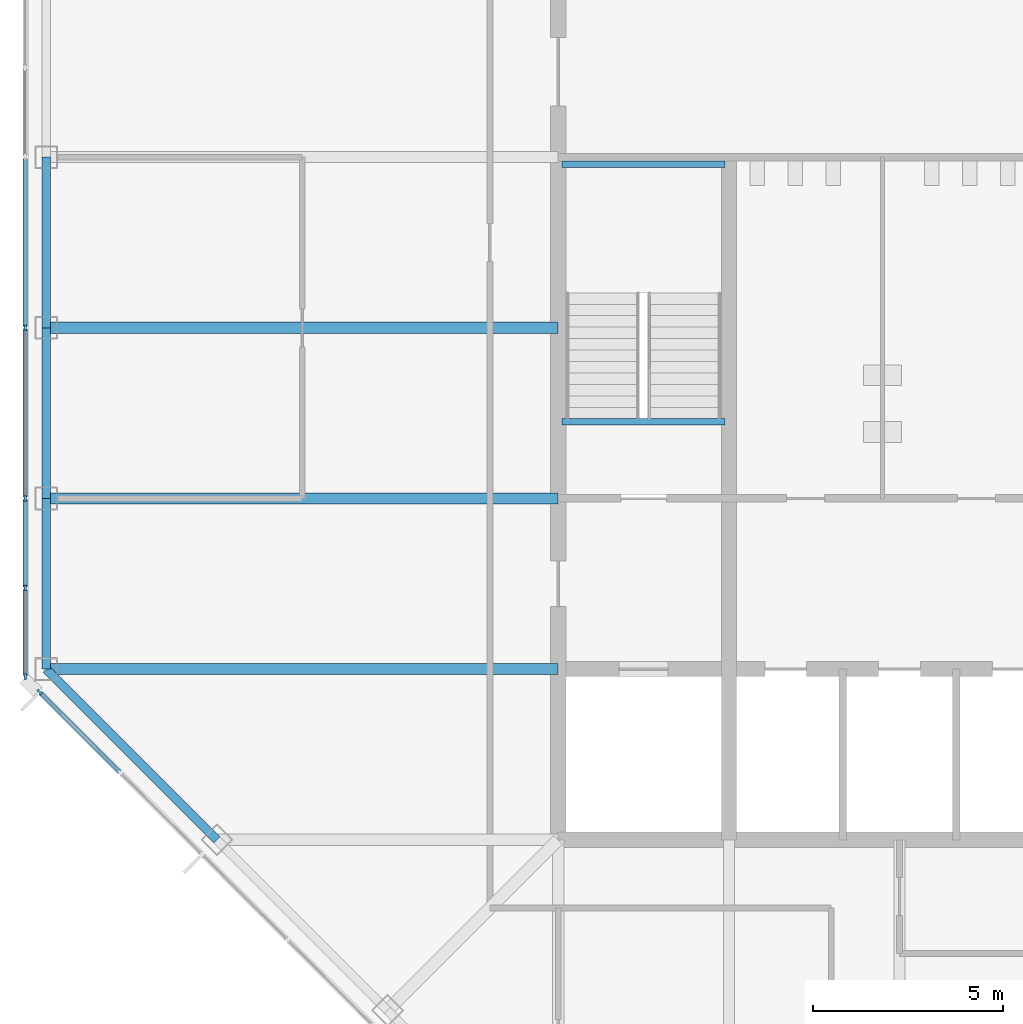
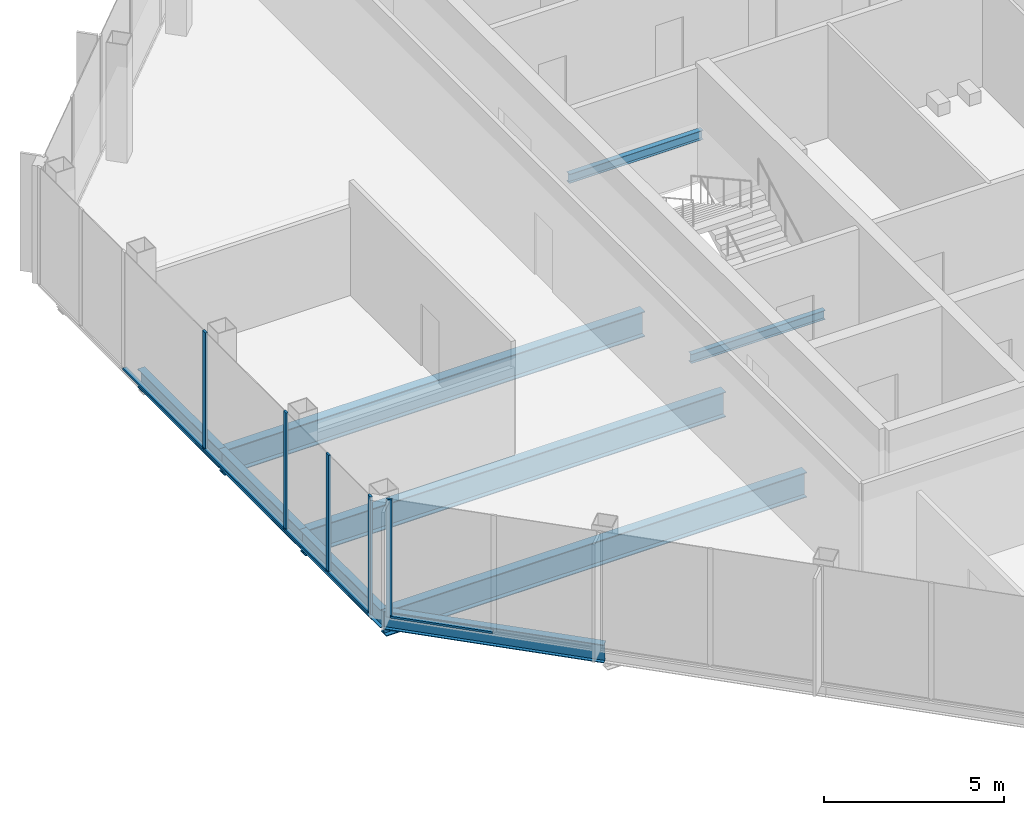
# One storey, part 3 of 13: 10 members, 9 beams, 2 elements without a shape of their own.
"""IFC4 building model written with IfcOpenShell, lengths in metres."""

from ifc_helpers import new_model, si_unit, direction, frame, origin, origin_2d, place, context, subcontext, project, spatial, rectangle, i_section, extrude, material, material_profile, profile_set, type_object, element, aggregate, save


model = new_model("IFC4")

# Units and contexts
model_context = context("Model", 3, precision=1e-05, world=origin(), true_north=direction((0.0, 1.0)))
body_context = subcontext(model_context, "Body", "Model", "MODEL_VIEW")
ifc_project = project(units=[si_unit("LENGTHUNIT", "METRE"), si_unit("AREAUNIT", "SQUARE_METRE"), si_unit("VOLUMEUNIT", "CUBIC_METRE"), si_unit("PLANEANGLEUNIT", "RADIAN"), si_unit("MASSUNIT", "GRAM", prefix="KILO")], contexts=[model_context])

# Site, building, storey
site_placement = place(None, origin())
site = spatial("IfcSite", under=ifc_project, at=site_placement, CompositionType="ELEMENT")
building_placement = place(site_placement, origin())
building = spatial("IfcBuilding", under=site, at=building_placement, Name="Corais Broadcast Tower", CompositionType="ELEMENT")
storey_placement = place(building_placement, frame((0.0, 0.0, 274.60009765625)))
storey = spatial("IfcBuildingStorey", under=building, at=storey_placement, Name="L64", CompositionType="ELEMENT", Elevation=274.60009765625)

# Beams
ifc_material_1 = material(Name="Steel ASTM A572 Grade 50", Category="steel")
ifc_material_profile_1 = material_profile(ifc_material_1, i_section(OverallWidth=0.2939453125, OverallDepth=0.85107421875, WebThickness=0.01611328125, FlangeThickness=0.02685546875, at=origin_2d()), Name="W840x226")
ifc_profile_set_1 = profile_set([ifc_material_profile_1], Name="Steel ASTM A572 Grade 50")
beam_type_1 = type_object("IfcBeamType", Name="Floor beam W840x226", PredefinedType="BEAM", material=ifc_profile_set_1)
for number, where, z_axis, x_axis, name in (
    (1, (0.0, 18.0, -0.585693359375), (1.0, 0.0, 0.0), (0.0, 1.0, 0.0), "B1 E/3 to E/6"),
    (2, (0.0, 22.5, -0.585693359375), (1.0, 0.0, 0.0), (0.0, 1.0, 0.0), "B1 F/3 to F/6"),
    (3, (0.0, 27.0, -0.585693359375), (1.0, 0.0, 0.0), (0.0, 1.0, 0.0), "B1 G/3 to G/6"),
):
    element("IfcBeam", number, at=place(storey_placement, frame(where, z_axis=z_axis, x_axis=x_axis)), inside=storey, type_object=beam_type_1, Name=name, PredefinedType="BEAM", context=body_context, shape_type="SweptSolid", body=[
        extrude(i_section(OverallWidth=0.2939453125, OverallDepth=0.85107421875, WebThickness=0.01611328125, FlangeThickness=0.02685546875, at=origin_2d()), origin(), (0.0, 0.0, 1.0), 13.5),
    ])
ifc_material_2 = material(Name="Steel ASTM A572 Grade 50", Category="steel")
ifc_material_profile_2 = material_profile(ifc_material_2, i_section(OverallWidth=0.1650390625, OverallDepth=0.31005859375, WebThickness=0.005859375, FlangeThickness=0.009765625, at=origin_2d()), Name="W310x38.7")
ifc_profile_set_2 = profile_set([ifc_material_profile_2], Name="Steel ASTM A572 Grade 50")
beam_type_2 = type_object("IfcBeamType", Name="Landing trimmer W310x38.7", PredefinedType="BEAM", material=ifc_profile_set_2)
for number, where, z_axis, x_axis, name in (
    (4, (13.60009765625, 24.52490234375, -0.35498046875), (1.0, 0.0, 0.0), (0.0, 1.0, 0.0), "LT1 stair A landing trimmer L64"),
    (5, (13.60009765625, 31.31005859375, 1.64501953125), (1.0, 0.0, 0.0), (0.0, 1.0, 0.0), "LT1 stair A half landing trimmer L64"),
):
    element("IfcBeam", number, at=place(storey_placement, frame(where, z_axis=z_axis, x_axis=x_axis)), inside=storey, type_object=beam_type_2, Name=name, PredefinedType="BEAM", context=body_context, shape_type="SweptSolid", body=[
        extrude(i_section(OverallWidth=0.1650390625, OverallDepth=0.31005859375, WebThickness=0.005859375, FlangeThickness=0.009765625, at=origin_2d()), origin(), (0.0, 0.0, 1.0), 4.2998046875),
    ])

# Curtain wall, member
ifc_material_3 = material(Name="Aluminium and glass", Category="aluminium")
curtain_wall_type = type_object("IfcCurtainWallType", Name="Unitised fritted curtain wall CW3", PredefinedType="NOTDEFINED", material=ifc_material_3)
curtain_wall_1_placement = place(storey_placement, origin())
curtain_wall_1 = element("IfcCurtainWall", 6, at=curtain_wall_1_placement, inside=storey, type_object=curtain_wall_type, Name="CW3 curtain wall L64 1", PredefinedType="NOTDEFINED")
ifc_material_4 = material(Name="Aluminium 6063-T6", Category="aluminium")
ifc_material_profile_3 = material_profile(ifc_material_4, rectangle(XDim=0.06494140625, YDim=0.159912109375, at=origin_2d()), Name="Mullion CW3 65x160")
ifc_profile_set_3 = profile_set([ifc_material_profile_3], Name="Aluminium 6063-T6")
member_type_1 = type_object("IfcMemberType", Name="Mullion CW3 65x160", PredefinedType="MULLION", material=ifc_profile_set_3)
member_1_placement = place(storey_placement, frame((-0.17333984375, 17.3955078125, 0.0), z_axis=(0.0, 0.0, 1.0), x_axis=(-0.707106781187, -0.707106781187, 0.0)))
member_1 = element("IfcMember", 7, at=member_1_placement, type_object=member_type_1, Name="CW3 mullion 9", PredefinedType="MULLION", context=body_context, shape_type="SweptSolid", body=[
    extrude(rectangle(XDim=0.06494140625, YDim=0.159912109375, at=origin_2d()), origin(), (0.0, 0.0, 1.0), 4.0),
])

# Curtain wall, members
curtain_wall_2_placement = place(storey_placement, origin())
curtain_wall_2 = element("IfcCurtainWall", 8, at=curtain_wall_2_placement, inside=storey, type_object=curtain_wall_type, Name="CW3 curtain wall L64 2", PredefinedType="NOTDEFINED")
member_2_placement = place(storey_placement, frame((-0.550048828125, 17.8046875, 0.0), z_axis=(0.0, 0.0, 1.0), x_axis=(-1.0, 0.0, 0.0)))
member_2 = element("IfcMember", 9, at=member_2_placement, type_object=member_type_1, Name="CW3 mullion 1", PredefinedType="MULLION", context=body_context, shape_type="SweptSolid", body=[
    extrude(rectangle(XDim=0.06494140625, YDim=0.159912109375, at=origin_2d()), origin(), (0.0, 0.0, 1.0), 4.0),
])
member_3_placement = place(storey_placement, frame((-0.550048828125, 20.135986328125, 0.0), z_axis=(0.0, 0.0, 1.0), x_axis=(-1.0, 0.0, 0.0)))
member_3 = element("IfcMember", 10, at=member_3_placement, type_object=member_type_1, Name="CW3 mullion 2", PredefinedType="MULLION", context=body_context, shape_type="SweptSolid", body=[
    extrude(rectangle(XDim=0.06494140625, YDim=0.159912109375, at=origin_2d()), origin(), (0.0, 0.0, 1.0), 4.0),
])
member_4_placement = place(storey_placement, frame((-0.550048828125, 22.5, 0.0), z_axis=(0.0, 0.0, 1.0), x_axis=(-1.0, 0.0, 0.0)))
member_4 = element("IfcMember", 11, at=member_4_placement, type_object=member_type_1, Name="CW3 mullion 3", PredefinedType="MULLION", context=body_context, shape_type="SweptSolid", body=[
    extrude(rectangle(XDim=0.06494140625, YDim=0.159912109375, at=origin_2d()), origin(), (0.0, 0.0, 1.0), 4.0),
])
member_5_placement = place(storey_placement, frame((-0.550048828125, 27.0, 0.0), z_axis=(0.0, 0.0, 1.0), x_axis=(-1.0, 0.0, 0.0)))
member_5 = element("IfcMember", 12, at=member_5_placement, type_object=member_type_1, Name="CW3 mullion 4", PredefinedType="MULLION", context=body_context, shape_type="SweptSolid", body=[
    extrude(rectangle(XDim=0.06494140625, YDim=0.159912109375, at=origin_2d()), origin(), (0.0, 0.0, 1.0), 4.0),
])

# Beams
ifc_material_5 = material(Name="Steel ASTM A572 Grade 50", Category="steel")
ifc_material_profile_4 = material_profile(ifc_material_5, i_section(OverallWidth=0.22998046875, OverallDepth=0.616943359375, WebThickness=0.01318359375, FlangeThickness=0.022216796875, at=origin_2d()), Name="W610x140")
ifc_profile_set_4 = profile_set([ifc_material_profile_4], Name="Steel ASTM A572 Grade 50")
beam_type_3 = type_object("IfcBeamType", Name="Spandrel W610x140", PredefinedType="BEAM", material=ifc_profile_set_4)
beam_placement = place(storey_placement, frame((0.0, 18.0, -0.468505859375), z_axis=(0.707106781187, -0.707106781187, 0.0), x_axis=(0.707106781187, 0.707106781187, 0.0)))
element("IfcBeam", 13, at=beam_placement, inside=storey, type_object=beam_type_3, Name="SB3 E/3 to D/4", PredefinedType="BEAM", context=body_context, shape_type="SweptSolid", body=[
    extrude(i_section(OverallWidth=0.22998046875, OverallDepth=0.616943359375, WebThickness=0.01318359375, FlangeThickness=0.022216796875, at=origin_2d()), origin(), (0.0, 0.0, 1.0), 6.364013671875),
])
for number, where, z_axis, x_axis, name in (
    (14, (0.0, 22.5, -0.468505859375), (0.0, -1.0, 0.0), (1.0, 0.0, 0.0), "SB3 F/3 to E/3"),
    (15, (0.0, 27.0, -0.468505859375), (0.0, -1.0, 0.0), (1.0, 0.0, 0.0), "SB3 G/3 to F/3"),
    (16, (0.0, 31.5, -0.468505859375), (0.0, -1.0, 0.0), (1.0, 0.0, 0.0), "SB3 H/3 to G/3"),
):
    element("IfcBeam", number, at=place(storey_placement, frame(where, z_axis=z_axis, x_axis=x_axis)), inside=storey, type_object=beam_type_3, Name=name, PredefinedType="BEAM", context=body_context, shape_type="SweptSolid", body=[
        extrude(i_section(OverallWidth=0.22998046875, OverallDepth=0.616943359375, WebThickness=0.01318359375, FlangeThickness=0.022216796875, at=origin_2d()), origin(), (0.0, 0.0, 1.0), 4.5),
    ])

# Member
ifc_material_6 = material(Name="Aluminium 6063-T6", Category="aluminium")
ifc_material_profile_5 = material_profile(ifc_material_6, rectangle(XDim=0.1201171875, YDim=0.06494140625, at=origin_2d()), Name="Transom CW3 65x120")
ifc_profile_set_5 = profile_set([ifc_material_profile_5], Name="Aluminium 6063-T6")
member_type_2 = type_object("IfcMemberType", Name="Transom CW3 65x120", PredefinedType="USERDEFINED", material=ifc_profile_set_5)
member_6_placement = place(storey_placement, frame((1.934326171875, 15.287841796875, 0.032470703125), z_axis=(-0.707106781187, 0.707106781187, 0.0), x_axis=(-0.707106781187, -0.707106781187, 0.0)))
member_6 = element("IfcMember", 17, at=member_6_placement, type_object=member_type_2, Name="CW3 transom 8.1", ObjectType="TRANSOM", PredefinedType="USERDEFINED", context=body_context, shape_type="SweptSolid", body=[
    extrude(rectangle(XDim=0.1201171875, YDim=0.06494140625, at=origin_2d()), origin(), (0.0, 0.0, 1.0), 2.9482421875),
])

aggregate(curtain_wall_1, [member_1, member_6])

member_7_placement = place(storey_placement, frame((-0.550048828125, 17.837158203125, 0.032470703125), z_axis=(0.0, 1.0, 0.0), x_axis=(-1.0, 0.0, 0.0)))
member_7 = element("IfcMember", 18, at=member_7_placement, type_object=member_type_2, Name="CW3 transom 1.1", ObjectType="TRANSOM", PredefinedType="USERDEFINED", context=body_context, shape_type="SweptSolid", body=[
    extrude(rectangle(XDim=0.1201171875, YDim=0.06494140625, at=origin_2d()), origin(), (0.0, 0.0, 1.0), 2.266357421875),
])

member_8_placement = place(storey_placement, frame((-0.550048828125, 20.168701171875, 0.032470703125), z_axis=(0.0, 1.0, 0.0), x_axis=(-1.0, 0.0, 0.0)))
member_8 = element("IfcMember", 19, at=member_8_placement, type_object=member_type_2, Name="CW3 transom 2.1", ObjectType="TRANSOM", PredefinedType="USERDEFINED", context=body_context, shape_type="SweptSolid", body=[
    extrude(rectangle(XDim=0.1201171875, YDim=0.06494140625, at=origin_2d()), origin(), (0.0, 0.0, 1.0), 2.298828125),
])

member_9_placement = place(storey_placement, frame((-0.550048828125, 22.532470703125, 0.032470703125), z_axis=(0.0, 1.0, 0.0), x_axis=(-1.0, 0.0, 0.0)))
member_9 = element("IfcMember", 20, at=member_9_placement, type_object=member_type_2, Name="CW3 transom 3.1", ObjectType="TRANSOM", PredefinedType="USERDEFINED", context=body_context, shape_type="SweptSolid", body=[
    extrude(rectangle(XDim=0.1201171875, YDim=0.06494140625, at=origin_2d()), origin(), (0.0, 0.0, 1.0), 4.43505859375),
])

member_10_placement = place(storey_placement, frame((-0.550048828125, 27.032470703125, 0.032470703125), z_axis=(0.0, 1.0, 0.0), x_axis=(-1.0, 0.0, 0.0)))
member_10 = element("IfcMember", 21, at=member_10_placement, type_object=member_type_2, Name="CW3 transom 4.1", ObjectType="TRANSOM", PredefinedType="USERDEFINED", context=body_context, shape_type="SweptSolid", body=[
    extrude(rectangle(XDim=0.1201171875, YDim=0.06494140625, at=origin_2d()), origin(), (0.0, 0.0, 1.0), 4.43505859375),
])

aggregate(curtain_wall_2, [member_2, member_3, member_4, member_5, member_7, member_8, member_9, member_10])

save(model, "model.ifc")
